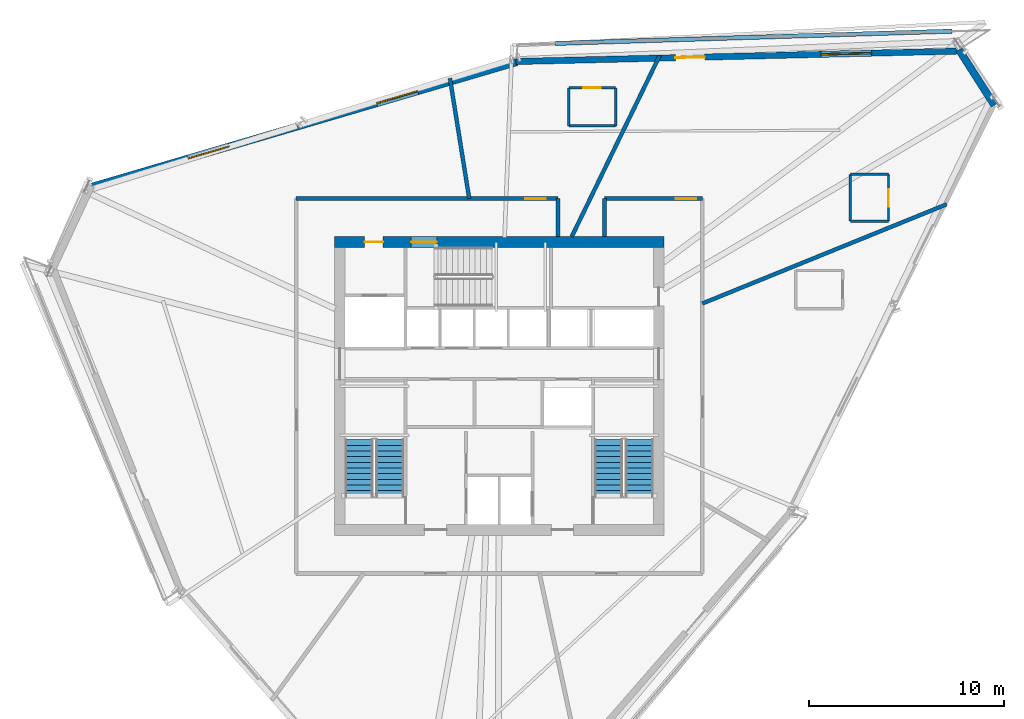
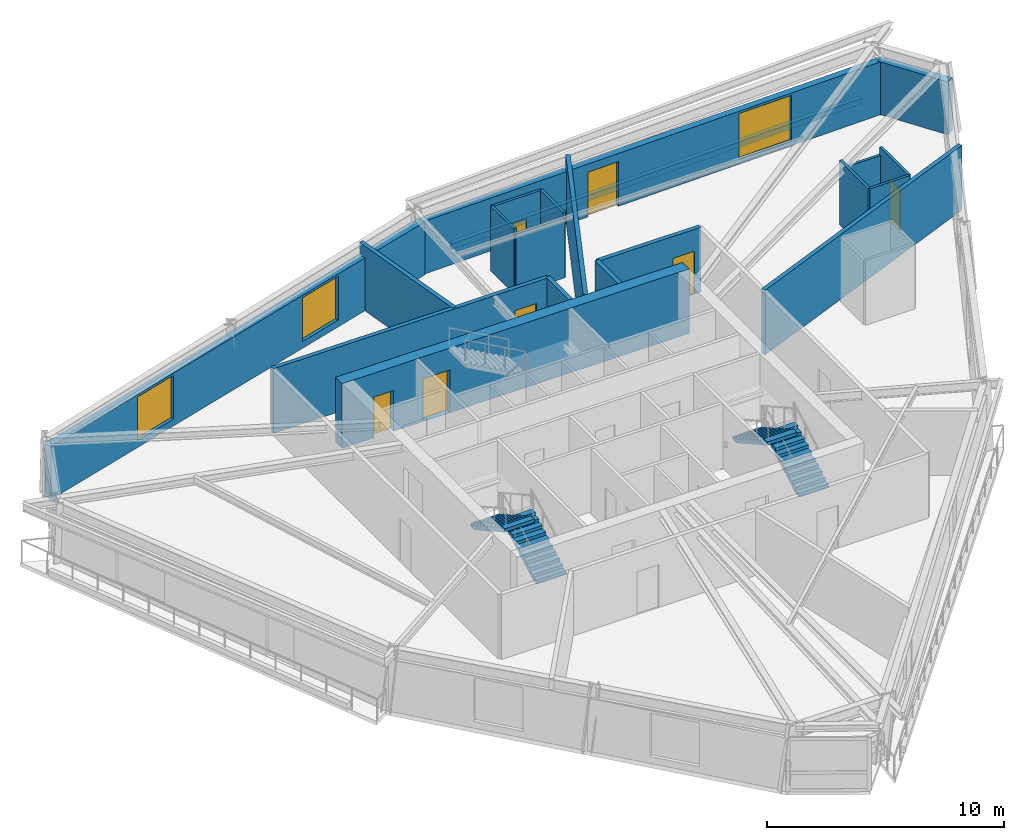
# One storey, part 9 of 13: 20 walls, 7 doors, 4 stair flights, 3 windows, 10 openings, 2 elements without a shape of their own.
"""IFC4 building model written with IfcOpenShell, lengths in metres."""

from ifc_helpers import new_model, si_unit, direction, frame, frame_2d, origin, place, context, subcontext, project, spatial, polyline, rectangle, outline, extrude, source, transform, mapped, material, layer, layer_set, type_object, type_shapes, element, fill, aggregate, save


model = new_model("IFC4")

# Units and contexts
model_context = context("Model", 3, precision=1e-05, world=origin(), true_north=direction((0.0, 1.0)))
body_context = subcontext(model_context, "Body", "Model", "MODEL_VIEW")
ifc_project = project(units=[si_unit("LENGTHUNIT", "METRE"), si_unit("AREAUNIT", "SQUARE_METRE"), si_unit("VOLUMEUNIT", "CUBIC_METRE"), si_unit("PLANEANGLEUNIT", "RADIAN"), si_unit("MASSUNIT", "GRAM", prefix="KILO")], contexts=[model_context])

# Site, building, storey
site_placement = place(None, origin())
site = spatial("IfcSite", under=ifc_project, at=site_placement, CompositionType="ELEMENT")
building_placement = place(site_placement, origin())
building = spatial("IfcBuilding", under=site, at=building_placement, Name="Olszyna Solenne Hotel", CompositionType="ELEMENT")
storey_placement = place(building_placement, frame((0.0, 0.0, 167.89990234375)))
storey = spatial("IfcBuildingStorey", under=building, at=storey_placement, Name="L44", CompositionType="ELEMENT", Elevation=167.89990234375)

# Wall, openings, doors
ifc_material_1 = material(Name="Concrete C50/60", Category="concrete")
ifc_layer_1 = layer(ifc_material_1, 0.550048828125, Name="Concrete C50/60")
ifc_layer_set_1 = layer_set([ifc_layer_1], Name="Concrete C50/60")
wall_type_1 = type_object("IfcWallType", Name="WL-CR550", PredefinedType="SHEAR", material=ifc_layer_set_1)
wall_1_placement = place(storey_placement, frame((29.550048828125, 33.97509765625, 0.0), z_axis=(0.0, 0.0, 1.0), x_axis=(1.0, 0.0, 0.0)))
wall_1 = element("IfcWall", 1, at=wall_1_placement, inside=storey, type_object=wall_type_1, Name="Core shear wall WL-CR550 CRW-L44-N", PredefinedType="SHEAR", context=body_context, shape_type="SweptSolid", body=[
    extrude(rectangle(XDim=16.89990234375, YDim=0.550048828125, at=frame_2d((8.449951171875, 0.0))), origin(), (0.0, 0.0, 1.0), 3.330078125),
])
opening_1_placement = place(wall_1_placement, frame((1.550048828125, 0.0, 0.0)))
opening_1 = element("IfcOpeningElement", 2, at=opening_1_placement, cuts=wall_1, Name="Opening SVD-L44-01", PredefinedType="OPENING", context=body_context, shape_type="SweptSolid", body=[
    extrude(rectangle(XDim=0.949951171875, YDim=2.10009765625, at=frame_2d((0.47509765625, 1.050048828125))), frame((0.0, 0.28515625, 0.0), z_axis=(0.0, -1.0, 0.0), x_axis=(1.0, 0.0, 0.0)), (0.0, 0.0, 1.0), 0.570068359375),
])
opening_2_placement = place(wall_1_placement, frame((3.929931640625, 0.0, 0.0)))
opening_2 = element("IfcOpeningElement", 3, at=opening_2_placement, cuts=wall_1, Name="Opening STD-L44-03", PredefinedType="OPENING", context=body_context, shape_type="SweptSolid", body=[
    extrude(rectangle(XDim=1.320068359375, YDim=2.199951171875, at=frame_2d((0.66015625, 1.10009765625))), frame((0.0, 0.28515625, 0.0), z_axis=(0.0, -1.0, 0.0), x_axis=(1.0, 0.0, 0.0)), (0.0, 0.0, 1.0), 0.570068359375),
])
ifc_material_2 = material(Name="Steel S355J2", Category="steel")
door_type_1 = type_object("IfcDoorType", Name="DR-ST1", OperationType="NOTDEFINED", PredefinedType="DOOR", material=ifc_material_2)
shared_shape_1 = source(origin(), body_context, "Body", "SweptSolid", [
    extrude(rectangle(XDim=1.320068359375, YDim=2.199951171875, at=frame_2d((0.66015625, 1.10009765625))), frame((0.0, 0.02490234375, 0.0), z_axis=(0.0, -1.0, 0.0), x_axis=(1.0, 0.0, 0.0)), (0.0, 0.0, 1.0), 0.050048828125),
])
type_shapes(door_type_1, [shared_shape_1])
door_1_placement = place(opening_2_placement, origin())
door_1 = element("IfcDoor", 4, at=door_1_placement, inside=storey, type_object=door_type_1, Name="Pressurised exit stair ST3 fire door STD-L44-03", OperationType="SINGLE_SWING_RIGHT", OverallHeight=2.199951171875, OverallWidth=1.320068359375, PredefinedType="DOOR", context=body_context, shape_type="MappedRepresentation", body=[
    mapped(shared_shape_1, transform((0.0, 0.0, 0.0), x_axis=(1.0, 0.0, 0.0), y_axis=(0.0, 1.0, 0.0), z_axis=(0.0, 0.0, 1.0), scale=1.0)),
])
fill(opening_2, door_1)
door_type_2 = type_object("IfcDoorType", Name="DR-SV1", OperationType="NOTDEFINED", PredefinedType="DOOR", material=ifc_material_2)
shared_shape_2 = source(origin(), body_context, "Body", "SweptSolid", [
    extrude(rectangle(XDim=0.949951171875, YDim=2.10009765625, at=frame_2d((0.47509765625, 1.050048828125))), frame((0.0, 0.02490234375, 0.0), z_axis=(0.0, -1.0, 0.0), x_axis=(1.0, 0.0, 0.0)), (0.0, 0.0, 1.0), 0.050048828125),
])
type_shapes(door_type_2, [shared_shape_2])
door_2_placement = place(opening_1_placement, origin())
door_2 = element("IfcDoor", 5, at=door_2_placement, inside=storey, type_object=door_type_2, Name="Service lift lobby fire door SVD-L44-01", OperationType="SINGLE_SWING_LEFT", OverallHeight=2.10009765625, OverallWidth=0.949951171875, PredefinedType="DOOR", context=body_context, shape_type="MappedRepresentation", body=[
    mapped(shared_shape_2, transform((0.0, 0.0, 0.0), x_axis=(1.0, 0.0, 0.0), y_axis=(0.0, 1.0, 0.0), z_axis=(0.0, 0.0, 1.0), scale=1.0)),
])
fill(opening_1, door_2)

# Wall, openings, door, window
ifc_material_3 = material(Name="Precast concrete C45/55", Category="concrete")
ifc_layer_2 = layer(ifc_material_3, 0.320068359375, Name="Precast concrete C45/55")
ifc_layer_set_2 = layer_set([ifc_layer_2], Name="Precast concrete C45/55")
wall_type_2 = type_object("IfcWallType", Name="WL-EX320", PredefinedType="SOLIDWALL", material=ifc_layer_set_2)
wall_2_placement = place(storey_placement, frame((38.86181640625, 43.220703125, 0.0), z_axis=(0.0, 0.0, 1.0), x_axis=(0.999721247149, 0.023609913133, 0.0)))
wall_2 = element("IfcWall", 6, at=wall_2_placement, inside=storey, type_object=wall_type_2, Name="Exterior terracotta-precast frame wall WL-EX320 EW-L44-08", PredefinedType="SOLIDWALL", context=body_context, shape_type="SweptSolid", body=[
    extrude(rectangle(XDim=22.863037109375, YDim=0.320068359375, at=frame_2d((11.431640625, 0.0))), origin(), (0.0, 0.0, 1.0), 2.72216796875),
])
opening_3_placement = place(wall_2_placement, frame((8.166015625, 0.0, 0.0)))
opening_3 = element("IfcOpeningElement", 7, at=opening_3_placement, cuts=wall_2, Name="Opening LDG-L44-1", PredefinedType="OPENING", context=body_context, shape_type="SweptSolid", body=[
    extrude(rectangle(XDim=1.5, YDim=2.300048828125, at=frame_2d((0.75, 1.14990234375))), frame((0.0, 0.169921875, 0.0), z_axis=(0.0, -1.0, 0.0), x_axis=(1.0, 0.0, 0.0)), (0.0, 0.0, 1.0), 0.340087890625),
])
opening_4_placement = place(wall_2_placement, frame((15.618896484375, 0.0, 0.251953125)))
opening_4 = element("IfcOpeningElement", 8, at=opening_4_placement, cuts=wall_2, Name="Opening WN-L44-275", PredefinedType="OPENING", context=body_context, shape_type="SweptSolid", body=[
    extrude(rectangle(XDim=2.60009765625, YDim=2.35009765625, at=frame_2d((1.300048828125, 1.175048828125))), frame((0.0, 0.169921875, 0.0), z_axis=(0.0, -1.0, 0.0), x_axis=(1.0, 0.0, 0.0)), (0.0, 0.0, 1.0), 0.340087890625),
])
ifc_material_4 = material(Name="Anodised bronze aluminium", Category="aluminium")
door_type_3 = type_object("IfcDoorType", Name="DR-LG2", OperationType="DOUBLE_DOOR_SINGLE_SWING", PredefinedType="DOOR", material=ifc_material_4)
shared_shape_3 = source(origin(), body_context, "Body", "SweptSolid", [
    extrude(rectangle(XDim=1.5, YDim=2.300048828125, at=frame_2d((0.75, 1.14990234375))), frame((0.0, 0.02490234375, 0.0), z_axis=(0.0, -1.0, 0.0), x_axis=(1.0, 0.0, 0.0)), (0.0, 0.0, 1.0), 0.050048828125),
])
type_shapes(door_type_3, [shared_shape_3])
door_3_placement = place(opening_3_placement, origin())
door_3 = element("IfcDoor", 9, at=door_3_placement, inside=storey, type_object=door_type_3, Name="Exterior loggia balcony door DR-LG2 LDG-L44-1", OperationType="DOUBLE_DOOR_SINGLE_SWING", OverallHeight=2.300048828125, OverallWidth=1.5, PredefinedType="DOOR", context=body_context, shape_type="MappedRepresentation", body=[
    mapped(shared_shape_3, transform((0.0, 0.0, 0.0), x_axis=(1.0, 0.0, 0.0), y_axis=(0.0, 1.0, 0.0), z_axis=(0.0, 0.0, 1.0), scale=1.0)),
])
fill(opening_3, door_3)
ifc_material_5 = material(Name="Low-E triple glazing", Category="glass")
window_type_1 = type_object("IfcWindowType", Name="WN-ST1", PartitioningType="SINGLE_PANEL", PredefinedType="WINDOW", material=ifc_material_5)
shared_shape_4 = source(origin(), body_context, "Body", "SweptSolid", [
    extrude(rectangle(XDim=2.60009765625, YDim=2.35009765625, at=frame_2d((1.300048828125, 1.175048828125))), frame((0.0, 0.030029296875, 0.0), z_axis=(0.0, -1.0, 0.0), x_axis=(1.0, 0.0, 0.0)), (0.0, 0.0, 1.0), 0.06005859375),
])
type_shapes(window_type_1, [shared_shape_4])
window_1_placement = place(opening_4_placement, origin())
window_1 = element("IfcWindow", 10, at=window_1_placement, inside=storey, type_object=window_type_1, Name="Loggia room window WN-ST1 WN-L44-275", OverallHeight=2.35009765625, OverallWidth=2.60009765625, PartitioningType="SINGLE_PANEL", PredefinedType="WINDOW", context=body_context, shape_type="MappedRepresentation", body=[
    mapped(shared_shape_4, transform((0.0, 0.0, 0.0), x_axis=(1.0, 0.0, 0.0), y_axis=(0.0, 1.0, 0.0), z_axis=(0.0, 0.0, 1.0), scale=1.0)),
])
fill(opening_4, window_1)

# Wall, openings, windows
ifc_material_6 = material(Name="Terracotta cladding on precast concrete C45/55", Category="masonry")
ifc_layer_3 = layer(ifc_material_6, 0.3798828125, Name="Terracotta cladding on precast concrete C45/55")
ifc_layer_set_3 = layer_set([ifc_layer_3], Name="Terracotta cladding on precast concrete C45/55")
wall_type_3 = type_object("IfcWallType", Name="WL-EX380", PredefinedType="SOLIDWALL", material=ifc_layer_set_3)
wall_3_placement = place(storey_placement, frame((16.973876953125, 36.760986328125, 0.0), z_axis=(0.0, 0.0, 1.0), x_axis=(0.959540288507, 0.281571367032, 0.0)))
wall_3 = element("IfcWall", 11, at=wall_3_placement, inside=storey, type_object=wall_type_3, Name="Exterior terracotta-precast frame wall WL-EX380 EW-L44-07", PredefinedType="SOLIDWALL", context=body_context, shape_type="SweptSolid", body=[
    extrude(rectangle(XDim=22.86279296875, YDim=0.3798828125, at=frame_2d((11.431396484375, 0.0))), origin(), (0.0, 0.0, 1.0), 2.72216796875),
])
opening_5_placement = place(wall_3_placement, frame((5.302001953125, 0.0, 0.35205078125)))
opening_5 = element("IfcOpeningElement", 12, at=opening_5_placement, cuts=wall_3, Name="Opening WN-L44-273", PredefinedType="OPENING", context=body_context, shape_type="SweptSolid", body=[
    extrude(rectangle(XDim=2.199951171875, YDim=2.25, at=frame_2d((1.10009765625, 1.125))), frame((0.0, 0.199951171875, 0.0), z_axis=(0.0, -1.0, 0.0), x_axis=(1.0, 0.0, 0.0)), (0.0, 0.0, 1.0), 0.39990234375),
])
opening_6_placement = place(wall_3_placement, frame((15.361083984375, 0.0, 0.35205078125)))
opening_6 = element("IfcOpeningElement", 13, at=opening_6_placement, cuts=wall_3, Name="Opening WN-L44-274", PredefinedType="OPENING", context=body_context, shape_type="SweptSolid", body=[
    extrude(rectangle(XDim=2.199951171875, YDim=2.25, at=frame_2d((1.10009765625, 1.125))), frame((0.0, 0.199951171875, 0.0), z_axis=(0.0, -1.0, 0.0), x_axis=(1.0, 0.0, 0.0)), (0.0, 0.0, 1.0), 0.39990234375),
])
window_type_2 = type_object("IfcWindowType", Name="WN-HT2", PartitioningType="SINGLE_PANEL", PredefinedType="WINDOW", material=ifc_material_5)
shared_shape_5 = source(origin(), body_context, "Body", "SweptSolid", [
    extrude(rectangle(XDim=2.199951171875, YDim=2.25, at=frame_2d((1.10009765625, 1.125))), frame((0.0, 0.030029296875, 0.0), z_axis=(0.0, -1.0, 0.0), x_axis=(1.0, 0.0, 0.0)), (0.0, 0.0, 1.0), 0.06005859375),
])
type_shapes(window_type_2, [shared_shape_5])
window_2_placement = place(opening_5_placement, origin())
window_2 = element("IfcWindow", 14, at=window_2_placement, inside=storey, type_object=window_type_2, Name="Exterior facade window WN-HT2 WN-L44-273", OverallHeight=2.25, OverallWidth=2.199951171875, PartitioningType="SINGLE_PANEL", PredefinedType="WINDOW", context=body_context, shape_type="MappedRepresentation", body=[
    mapped(shared_shape_5, transform((0.0, 0.0, 0.0), x_axis=(1.0, 0.0, 0.0), y_axis=(0.0, 1.0, 0.0), z_axis=(0.0, 0.0, 1.0), scale=1.0)),
])
fill(opening_5, window_2)
window_3_placement = place(opening_6_placement, origin())
window_3 = element("IfcWindow", 15, at=window_3_placement, inside=storey, type_object=window_type_2, Name="Exterior facade window WN-HT2 WN-L44-274", OverallHeight=2.25, OverallWidth=2.199951171875, PartitioningType="SINGLE_PANEL", PredefinedType="WINDOW", context=body_context, shape_type="MappedRepresentation", body=[
    mapped(shared_shape_5, transform((0.0, 0.0, 0.0), x_axis=(1.0, 0.0, 0.0), y_axis=(0.0, 1.0, 0.0), z_axis=(0.0, 0.0, 1.0), scale=1.0)),
])
fill(opening_6, window_3)

# Walls
wall_4_placement = place(storey_placement, frame((61.554443359375, 43.818359375, 0.0), z_axis=(0.0, 0.0, 1.0), x_axis=(0.538043125275, -0.842917312282, 0.0)))
element("IfcWall", 16, at=wall_4_placement, inside=storey, type_object=wall_type_3, Name="Exterior terracotta-precast frame wall WL-EX380 EW-L44-09", PredefinedType="SOLIDWALL", context=body_context, shape_type="SweptSolid", body=[
    extrude(rectangle(XDim=3.367431640625, YDim=0.3798828125, at=frame_2d((1.68359375, 0.0))), origin(), (0.0, 0.0, 1.0), 2.72216796875),
])
ifc_layer_4 = layer(ifc_material_3, 0.219970703125, Name="Precast concrete C45/55")
ifc_layer_set_4 = layer_set([ifc_layer_4], Name="Precast concrete C45/55")
wall_type_4 = type_object("IfcWallType", Name="WL-PR220", PredefinedType="PARAPET", material=ifc_layer_set_4)
wall_5_placement = place(storey_placement, frame((61.19970703125, 44.777587890625, 0.0), z_axis=(0.0, 0.0, 1.0), x_axis=(-0.999519608931, -0.030992763077, 0.0)))
element("IfcWall", 17, at=wall_5_placement, inside=storey, type_object=wall_type_4, Name="Loggia balcony precast kerb PR-L44-LG1", PredefinedType="PARAPET", context=body_context, shape_type="SweptSolid", body=[
    extrude(rectangle(XDim=20.34716796875, YDim=0.219970703125, at=frame_2d((10.173583984375, 0.0))), origin(), (0.0, 0.0, 1.0), 0.300048828125),
])

# Wall, opening, door
ifc_material_7 = material(Name="Acoustic gypsum partition", Category="gypsum")
ifc_layer_5 = layer(ifc_material_7, 0.125, Name="Acoustic gypsum partition")
ifc_layer_set_5 = layer_set([ifc_layer_5], Name="Acoustic gypsum partition")
wall_type_5 = type_object("IfcWallType", Name="WL-PT125", PredefinedType="PARTITIONING", material=ifc_layer_set_5)
wall_6_placement = place(storey_placement, frame((57.93896484375, 35.0400390625, 0.0), z_axis=(0.0, 0.0, 1.0), x_axis=(0.0, 1.0, 0.0)))
wall_6 = element("IfcWall", 18, at=wall_6_placement, inside=storey, type_object=wall_type_5, Name="Interior acoustic partition WL-PT125 PW-L44-2479", PredefinedType="PARTITIONING", context=body_context, shape_type="SweptSolid", body=[
    extrude(rectangle(XDim=2.39990234375, YDim=0.125, at=frame_2d((1.199951171875, 0.0))), origin(), (0.0, 0.0, 1.0), 3.330078125),
])
opening_7_placement = place(wall_6_placement, frame((0.75, 0.0, 0.0)))
opening_7 = element("IfcOpeningElement", 19, at=opening_7_placement, cuts=wall_6, Name="Opening DR-L44-0597", PredefinedType="OPENING", context=body_context, shape_type="SweptSolid", body=[
    extrude(rectangle(XDim=0.89990234375, YDim=2.10009765625, at=frame_2d((0.449951171875, 1.050048828125))), frame((0.0, 0.072509765625, 0.0), z_axis=(0.0, -1.0, 0.0), x_axis=(1.0, 0.0, 0.0)), (0.0, 0.0, 1.0), 0.14501953125),
])
ifc_material_8 = material(Name="Timber hardwood", Category="wood")
door_type_4 = type_object("IfcDoorType", Name="DR-WC1", OperationType="NOTDEFINED", PredefinedType="DOOR", material=ifc_material_8)
shared_shape_6 = source(origin(), body_context, "Body", "SweptSolid", [
    extrude(rectangle(XDim=0.89990234375, YDim=2.10009765625, at=frame_2d((0.449951171875, 1.050048828125))), frame((0.0, 0.02490234375, 0.0), z_axis=(0.0, -1.0, 0.0), x_axis=(1.0, 0.0, 0.0)), (0.0, 0.0, 1.0), 0.050048828125),
])
type_shapes(door_type_4, [shared_shape_6])
door_4_placement = place(opening_7_placement, origin())
door_4 = element("IfcDoor", 20, at=door_4_placement, inside=storey, type_object=door_type_4, Name="En-Suite Bathroom Door DR-L44-0597", OperationType="SINGLE_SWING_LEFT", OverallHeight=2.10009765625, OverallWidth=0.89990234375, PredefinedType="DOOR", context=body_context, shape_type="MappedRepresentation", body=[
    mapped(shared_shape_6, transform((0.0, 0.0, 0.0), x_axis=(1.0, 0.0, 0.0), y_axis=(0.0, 1.0, 0.0), z_axis=(0.0, 0.0, 1.0), scale=1.0)),
])
fill(opening_7, door_4)

# Walls
wall_7_placement = place(storey_placement, frame((57.93896484375, 37.43994140625, 0.0), z_axis=(0.0, 0.0, 1.0), x_axis=(-1.0, 0.0, 0.0)))
element("IfcWall", 21, at=wall_7_placement, inside=storey, type_object=wall_type_5, Name="Interior acoustic partition WL-PT125 PW-L44-2480", PredefinedType="PARTITIONING", context=body_context, shape_type="SweptSolid", body=[
    extrude(rectangle(XDim=1.949951171875, YDim=0.125, at=frame_2d((0.97509765625, 0.0))), origin(), (0.0, 0.0, 1.0), 2.925048828125),
])
wall_8_placement = place(storey_placement, frame((55.989013671875, 37.43994140625, 0.0), z_axis=(0.0, 0.0, 1.0), x_axis=(0.0, -1.0, 0.0)))
element("IfcWall", 22, at=wall_8_placement, inside=storey, type_object=wall_type_5, Name="Interior acoustic partition WL-PT125 PW-L44-2481", PredefinedType="PARTITIONING", context=body_context, shape_type="SweptSolid", body=[
    extrude(rectangle(XDim=2.39990234375, YDim=0.125, at=frame_2d((1.199951171875, 0.0))), origin(), (0.0, 0.0, 1.0), 3.330078125),
])
for number, where, z_axis, x_axis, name in (
    (23, (55.989013671875, 35.0400390625, 0.0), (0.0, 0.0, 1.0), (1.0, 0.0, 0.0), "Interior acoustic partition WL-PT125 PW-L44-2482"),
    (24, (43.9609375, 39.926025390625, 0.0), (0.0, 0.0, 1.0), (0.0, 1.0, 0.0), "Interior acoustic partition WL-PT125 PW-L44-2483"),
):
    element("IfcWall", number, at=place(storey_placement, frame(where, z_axis=z_axis, x_axis=x_axis)), inside=storey, type_object=wall_type_5, Name=name, PredefinedType="PARTITIONING", context=body_context, shape_type="SweptSolid", body=[
        extrude(rectangle(XDim=1.949951171875, YDim=0.125, at=frame_2d((0.97509765625, 0.0))), origin(), (0.0, 0.0, 1.0), 3.330078125),
    ])

# Wall, opening, door
wall_9_placement = place(storey_placement, frame((43.9609375, 41.8759765625, 0.0), z_axis=(0.0, 0.0, 1.0), x_axis=(-1.0, 0.0, 0.0)))
wall_9 = element("IfcWall", 25, at=wall_9_placement, inside=storey, type_object=wall_type_5, Name="Interior acoustic partition WL-PT125 PW-L44-2484", PredefinedType="PARTITIONING", context=body_context, shape_type="SweptSolid", body=[
    extrude(rectangle(XDim=2.39990234375, YDim=0.125, at=frame_2d((1.199951171875, 0.0))), origin(), (0.0, 0.0, 1.0), 3.330078125),
])
opening_8_placement = place(wall_9_placement, frame((0.75, 0.0, 0.0)))
opening_8 = element("IfcOpeningElement", 26, at=opening_8_placement, cuts=wall_9, Name="Opening DR-L44-0598", PredefinedType="OPENING", context=body_context, shape_type="SweptSolid", body=[
    extrude(rectangle(XDim=0.89990234375, YDim=2.10009765625, at=frame_2d((0.449951171875, 1.050048828125))), frame((0.0, 0.072509765625, 0.0), z_axis=(0.0, -1.0, 0.0), x_axis=(1.0, 0.0, 0.0)), (0.0, 0.0, 1.0), 0.14501953125),
])
door_5_placement = place(opening_8_placement, origin())
door_5 = element("IfcDoor", 27, at=door_5_placement, inside=storey, type_object=door_type_4, Name="En-Suite Bathroom Door DR-L44-0598", OperationType="SINGLE_SWING_RIGHT", OverallHeight=2.10009765625, OverallWidth=0.89990234375, PredefinedType="DOOR", context=body_context, shape_type="MappedRepresentation", body=[
    mapped(shared_shape_6, transform((0.0, 0.0, 0.0), x_axis=(1.0, 0.0, 0.0), y_axis=(0.0, 1.0, 0.0), z_axis=(0.0, 0.0, 1.0), scale=1.0)),
])
fill(opening_8, door_5)

# Walls
wall_10_placement = place(storey_placement, frame((41.56103515625, 41.8759765625, 0.0), z_axis=(0.0, 0.0, 1.0), x_axis=(0.0, -1.0, 0.0)))
element("IfcWall", 28, at=wall_10_placement, inside=storey, type_object=wall_type_5, Name="Interior acoustic partition WL-PT125 PW-L44-2485", PredefinedType="PARTITIONING", context=body_context, shape_type="SweptSolid", body=[
    extrude(rectangle(XDim=1.949951171875, YDim=0.125, at=frame_2d((0.97509765625, 0.0))), origin(), (0.0, 0.0, 1.0), 3.330078125),
])
wall_11_placement = place(storey_placement, frame((41.56103515625, 39.926025390625, 0.0), z_axis=(0.0, 0.0, 1.0), x_axis=(1.0, 0.0, 0.0)))
element("IfcWall", 29, at=wall_11_placement, inside=storey, type_object=wall_type_5, Name="Interior acoustic partition WL-PT125 PW-L44-2486", PredefinedType="PARTITIONING", context=body_context, shape_type="SweptSolid", body=[
    extrude(rectangle(XDim=2.39990234375, YDim=0.125, at=frame_2d((1.199951171875, 0.0))), origin(), (0.0, 0.0, 1.0), 3.0751953125),
])
ifc_layer_6 = layer(ifc_material_7, 0.199951171875, Name="Acoustic gypsum partition")
ifc_layer_set_6 = layer_set([ifc_layer_6], Name="Acoustic gypsum partition")
wall_type_6 = type_object("IfcWallType", Name="WL-PT200", PredefinedType="PARTITIONING", material=ifc_layer_set_6)
wall_12_placement = place(storey_placement, frame((36.46240234375, 36.199951171875, 0.0), z_axis=(0.0, 0.0, 1.0), x_axis=(-0.158173736678, 0.987411296788, 0.0)))
element("IfcWall", 30, at=wall_12_placement, inside=storey, type_object=wall_type_6, Name="Interior acoustic partition WL-PT200 PW-L44-2469", PredefinedType="PARTITIONING", context=body_context, shape_type="SweptSolid", body=[
    extrude(rectangle(XDim=6.23583984375, YDim=0.199951171875, at=frame_2d((3.117919921875, 0.0))), origin(), (0.0, 0.0, 1.0), 3.330078125),
])
wall_13_placement = place(storey_placement, frame((48.39990234375, 30.822998046875, 0.0), z_axis=(0.0, 0.0, 1.0), x_axis=(0.926531533204, 0.376217115477, 0.0)))
element("IfcWall", 31, at=wall_13_placement, inside=storey, type_object=wall_type_6, Name="Interior acoustic partition WL-PT200 PW-L44-2473", PredefinedType="PARTITIONING", context=body_context, shape_type="SweptSolid", body=[
    extrude(rectangle(XDim=13.5126953125, YDim=0.199951171875, at=frame_2d((6.75634765625, 0.0))), origin(), (0.0, 0.0, 1.0), 3.330078125),
])
wall_14_placement = place(storey_placement, frame((41.714599609375, 34.25, 0.0), z_axis=(0.0, 0.0, 1.0), x_axis=(0.436811995944, 0.899552822351, 0.0)))
element("IfcWall", 32, at=wall_14_placement, inside=storey, type_object=wall_type_6, Name="Interior acoustic partition WL-PT200 PW-L44-2474", PredefinedType="PARTITIONING", context=body_context, shape_type="SweptSolid", body=[
    extrude(rectangle(XDim=10.310302734375, YDim=0.199951171875, at=frame_2d((5.1552734375, 0.0))), origin(), (0.0, 0.0, 1.0), 3.330078125),
])

# Wall, opening, door
wall_15_placement = place(storey_placement, frame((27.60009765625, 36.199951171875, 0.0), z_axis=(0.0, 0.0, 1.0), x_axis=(1.0, 0.0, 0.0)))
wall_15 = element("IfcWall", 33, at=wall_15_placement, inside=storey, type_object=wall_type_6, Name="Interior acoustic partition WL-PT200 PW-L44-2489", PredefinedType="PARTITIONING", context=body_context, shape_type="SweptSolid", body=[
    extrude(rectangle(XDim=13.39990234375, YDim=0.199951171875, at=frame_2d((6.699951171875, 0.0))), origin(), (0.0, 0.0, 1.0), 3.330078125),
])
opening_9_placement = place(wall_15_placement, frame((11.741943359375, 0.0, 0.0)))
opening_9 = element("IfcOpeningElement", 34, at=opening_9_placement, cuts=wall_15, Name="Opening DR-L44-0602", PredefinedType="OPENING", context=body_context, shape_type="SweptSolid", body=[
    extrude(rectangle(XDim=1.050048828125, YDim=2.199951171875, at=frame_2d((0.52490234375, 1.10009765625))), frame((0.0, 0.10986328125, 0.0), z_axis=(0.0, -1.0, 0.0), x_axis=(1.0, 0.0, 0.0)), (0.0, 0.0, 1.0), 0.219970703125),
])
door_type_5 = type_object("IfcDoorType", Name="DR-RM2", OperationType="NOTDEFINED", PredefinedType="DOOR", material=ifc_material_8)
shared_shape_7 = source(origin(), body_context, "Body", "SweptSolid", [
    extrude(rectangle(XDim=1.050048828125, YDim=2.199951171875, at=frame_2d((0.52490234375, 1.10009765625))), frame((0.0, 0.02490234375, 0.0), z_axis=(0.0, -1.0, 0.0), x_axis=(1.0, 0.0, 0.0)), (0.0, 0.0, 1.0), 0.050048828125),
])
type_shapes(door_type_5, [shared_shape_7])
door_6_placement = place(opening_9_placement, origin())
door_6 = element("IfcDoor", 35, at=door_6_placement, inside=storey, type_object=door_type_5, Name="Executive Reading Salon Entrance Door DR-L44-0602", OperationType="SINGLE_SWING_RIGHT", OverallHeight=2.199951171875, OverallWidth=1.050048828125, PredefinedType="DOOR", context=body_context, shape_type="MappedRepresentation", body=[
    mapped(shared_shape_7, transform((0.0, 0.0, 0.0), x_axis=(1.0, 0.0, 0.0), y_axis=(0.0, 1.0, 0.0), z_axis=(0.0, 0.0, 1.0), scale=1.0)),
])
fill(opening_9, door_6)

# Wall
wall_16_placement = place(storey_placement, frame((41.0, 34.25, 0.0), z_axis=(0.0, 0.0, 1.0), x_axis=(0.0, 1.0, 0.0)))
element("IfcWall", 36, at=wall_16_placement, inside=storey, type_object=wall_type_6, Name="Interior acoustic partition WL-PT200 PW-L44-2490", PredefinedType="PARTITIONING", context=body_context, shape_type="SweptSolid", body=[
    extrude(rectangle(XDim=1.949951171875, YDim=0.199951171875, at=frame_2d((0.97509765625, 0.0))), origin(), (0.0, 0.0, 1.0), 3.330078125),
])

# Wall, opening, door
wall_17_placement = place(storey_placement, frame((43.39990234375, 36.199951171875, 0.0), z_axis=(0.0, 0.0, 1.0), x_axis=(1.0, 0.0, 0.0)))
wall_17 = element("IfcWall", 37, at=wall_17_placement, inside=storey, type_object=wall_type_6, Name="Interior acoustic partition WL-PT200 PW-L44-2491", PredefinedType="PARTITIONING", context=body_context, shape_type="SweptSolid", body=[
    extrude(rectangle(XDim=5.0, YDim=0.199951171875, at=frame_2d((2.5, 0.0))), origin(), (0.0, 0.0, 1.0), 3.330078125),
])
opening_10_placement = place(wall_17_placement, frame((3.64990234375, 0.0, 0.0)))
opening_10 = element("IfcOpeningElement", 38, at=opening_10_placement, cuts=wall_17, Name="Opening DR-L44-0603", PredefinedType="OPENING", context=body_context, shape_type="SweptSolid", body=[
    extrude(rectangle(XDim=1.050048828125, YDim=2.199951171875, at=frame_2d((0.52490234375, 1.10009765625))), frame((0.0, 0.10986328125, 0.0), z_axis=(0.0, -1.0, 0.0), x_axis=(1.0, 0.0, 0.0)), (0.0, 0.0, 1.0), 0.219970703125),
])
door_7_placement = place(opening_10_placement, origin())
door_7 = element("IfcDoor", 39, at=door_7_placement, inside=storey, type_object=door_type_5, Name="Deluxe Hotel Guestroom Entrance Door DR-L44-0603", OperationType="SINGLE_SWING_LEFT", OverallHeight=2.199951171875, OverallWidth=1.050048828125, PredefinedType="DOOR", context=body_context, shape_type="MappedRepresentation", body=[
    mapped(shared_shape_7, transform((0.0, 0.0, 0.0), x_axis=(1.0, 0.0, 0.0), y_axis=(0.0, 1.0, 0.0), z_axis=(0.0, 0.0, 1.0), scale=1.0)),
])
fill(opening_10, door_7)

# Wall
wall_18_placement = place(storey_placement, frame((43.39990234375, 34.25, 0.0), z_axis=(0.0, 0.0, 1.0), x_axis=(0.0, 1.0, 0.0)))
element("IfcWall", 40, at=wall_18_placement, inside=storey, type_object=wall_type_6, Name="Interior acoustic partition WL-PT200 PW-L44-2492", PredefinedType="PARTITIONING", context=body_context, shape_type="SweptSolid", body=[
    extrude(rectangle(XDim=1.949951171875, YDim=0.199951171875, at=frame_2d((0.97509765625, 0.0))), origin(), (0.0, 0.0, 1.0), 3.330078125),
])

# Stair, stair flights
ifc_material_9 = material(Name="Concrete C40/50", Category="concrete")
stair_type = type_object("IfcStairType", Name="STR-C1", PredefinedType="TWO_QUARTER_WINDING_STAIR", material=ifc_material_9)
stair_1_placement = place(storey_placement, origin())
stair_1 = element("IfcStair", 41, at=stair_1_placement, inside=storey, type_object=stair_type, Name="L44 ST1", PredefinedType="TWO_QUARTER_WINDING_STAIR")
stair_flight_type = type_object("IfcStairFlightType", Name="FLT-C1", PredefinedType="STRAIGHT", material=ifc_material_9)
stair_flight_1_placement = place(storey_placement, frame((32.39501953125, 20.949951171875, 0.0), z_axis=(0.0, 0.0, 1.0), x_axis=(0.0, 1.0, 0.0)))
stair_flight_1 = element("IfcStairFlight", 42, at=stair_flight_1_placement, type_object=stair_flight_type, Name="ST1 flight 1", NumberOfRisers=11, NumberOfTreads=10, PredefinedType="STRAIGHT", RiserHeight=0.161363636, TreadLength=0.29, context=body_context, shape_type="SweptSolid", body=[
    extrude(outline(polyline([(0.0, 0.0), (0.0, 0.161376953125), (0.2900390625, 0.161376953125), (0.2900390625, 0.32275390625), (0.580078125, 0.32275390625), (0.580078125, 0.484130859375), (0.8701171875, 0.484130859375), (0.8701171875, 0.6455078125), (1.159912109375, 0.6455078125), (1.159912109375, 0.806884765625), (1.449951171875, 0.806884765625), (1.449951171875, 0.96826171875), (1.739990234375, 0.96826171875), (1.739990234375, 1.129638671875), (2.030029296875, 1.129638671875), (2.030029296875, 1.291015625), (2.320068359375, 1.291015625), (2.320068359375, 1.452392578125), (2.610107421875, 1.452392578125), (2.610107421875, 1.613525390625), (2.89990234375, 1.613525390625), (2.89990234375, 1.77490234375), (2.89990234375, 1.442138671875), (0.308349609375, 0.0), (0.0, 0.0)])), frame((0.0, 0.72509765625, 0.0), z_axis=(0.0, -1.0, 0.0), x_axis=(1.0, 0.0, 0.0)), (0.0, 0.0, 1.0), 1.449951171875),
])
stair_flight_2_placement = place(storey_placement, frame((30.824951171875, 23.85009765625, 1.775146484375), z_axis=(0.0, 0.0, 1.0), x_axis=(0.0, -1.0, 0.0)))
stair_flight_2 = element("IfcStairFlight", 43, at=stair_flight_2_placement, type_object=stair_flight_type, Name="ST1 flight 2", NumberOfRisers=11, NumberOfTreads=10, PredefinedType="STRAIGHT", RiserHeight=0.161363636, TreadLength=0.29, context=body_context, shape_type="SweptSolid", body=[
    extrude(outline(polyline([(0.0, 0.0), (0.0, 0.161376953125), (0.2900390625, 0.161376953125), (0.2900390625, 0.32275390625), (0.580078125, 0.32275390625), (0.580078125, 0.484130859375), (0.8701171875, 0.484130859375), (0.8701171875, 0.6455078125), (1.159912109375, 0.6455078125), (1.159912109375, 0.806884765625), (1.449951171875, 0.806884765625), (1.449951171875, 0.96826171875), (1.739990234375, 0.96826171875), (1.739990234375, 1.129638671875), (2.030029296875, 1.129638671875), (2.030029296875, 1.291015625), (2.320068359375, 1.291015625), (2.320068359375, 1.452392578125), (2.610107421875, 1.452392578125), (2.610107421875, 1.613525390625), (2.89990234375, 1.613525390625), (2.89990234375, 1.77490234375), (2.89990234375, 1.442138671875), (0.308349609375, 0.0), (0.0, 0.0)])), frame((0.0, 0.72509765625, 0.0), z_axis=(0.0, -1.0, 0.0), x_axis=(1.0, 0.0, 0.0)), (0.0, 0.0, 1.0), 1.449951171875),
])
aggregate(stair_1, [stair_flight_1, stair_flight_2])

stair_2_placement = place(storey_placement, origin())
stair_2 = element("IfcStair", 44, at=stair_2_placement, inside=storey, type_object=stair_type, Name="L44 ST2", PredefinedType="TWO_QUARTER_WINDING_STAIR")
stair_flight_3_placement = place(storey_placement, frame((45.175048828125, 20.949951171875, 0.0), z_axis=(0.0, 0.0, 1.0), x_axis=(0.0, 1.0, 0.0)))
stair_flight_3 = element("IfcStairFlight", 45, at=stair_flight_3_placement, type_object=stair_flight_type, Name="ST2 flight 1", NumberOfRisers=11, NumberOfTreads=10, PredefinedType="STRAIGHT", RiserHeight=0.161363636, TreadLength=0.29, context=body_context, shape_type="SweptSolid", body=[
    extrude(outline(polyline([(0.0, 0.0), (0.0, 0.161376953125), (0.2900390625, 0.161376953125), (0.2900390625, 0.32275390625), (0.580078125, 0.32275390625), (0.580078125, 0.484130859375), (0.8701171875, 0.484130859375), (0.8701171875, 0.6455078125), (1.159912109375, 0.6455078125), (1.159912109375, 0.806884765625), (1.449951171875, 0.806884765625), (1.449951171875, 0.96826171875), (1.739990234375, 0.96826171875), (1.739990234375, 1.129638671875), (2.030029296875, 1.129638671875), (2.030029296875, 1.291015625), (2.320068359375, 1.291015625), (2.320068359375, 1.452392578125), (2.610107421875, 1.452392578125), (2.610107421875, 1.613525390625), (2.89990234375, 1.613525390625), (2.89990234375, 1.77490234375), (2.89990234375, 1.442138671875), (0.308349609375, 0.0), (0.0, 0.0)])), frame((0.0, 0.72509765625, 0.0), z_axis=(0.0, -1.0, 0.0), x_axis=(1.0, 0.0, 0.0)), (0.0, 0.0, 1.0), 1.449951171875),
])
stair_flight_4_placement = place(storey_placement, frame((43.60498046875, 23.85009765625, 1.775146484375), z_axis=(0.0, 0.0, 1.0), x_axis=(0.0, -1.0, 0.0)))
stair_flight_4 = element("IfcStairFlight", 46, at=stair_flight_4_placement, type_object=stair_flight_type, Name="ST2 flight 2", NumberOfRisers=11, NumberOfTreads=10, PredefinedType="STRAIGHT", RiserHeight=0.161363636, TreadLength=0.29, context=body_context, shape_type="SweptSolid", body=[
    extrude(outline(polyline([(0.0, 0.0), (0.0, 0.161376953125), (0.2900390625, 0.161376953125), (0.2900390625, 0.32275390625), (0.580078125, 0.32275390625), (0.580078125, 0.484130859375), (0.8701171875, 0.484130859375), (0.8701171875, 0.6455078125), (1.159912109375, 0.6455078125), (1.159912109375, 0.806884765625), (1.449951171875, 0.806884765625), (1.449951171875, 0.96826171875), (1.739990234375, 0.96826171875), (1.739990234375, 1.129638671875), (2.030029296875, 1.129638671875), (2.030029296875, 1.291015625), (2.320068359375, 1.291015625), (2.320068359375, 1.452392578125), (2.610107421875, 1.452392578125), (2.610107421875, 1.613525390625), (2.89990234375, 1.613525390625), (2.89990234375, 1.77490234375), (2.89990234375, 1.442138671875), (0.308349609375, 0.0), (0.0, 0.0)])), frame((0.0, 0.72509765625, 0.0), z_axis=(0.0, -1.0, 0.0), x_axis=(1.0, 0.0, 0.0)), (0.0, 0.0, 1.0), 1.449951171875),
])
aggregate(stair_2, [stair_flight_3, stair_flight_4])

save(model, "model.ifc")
